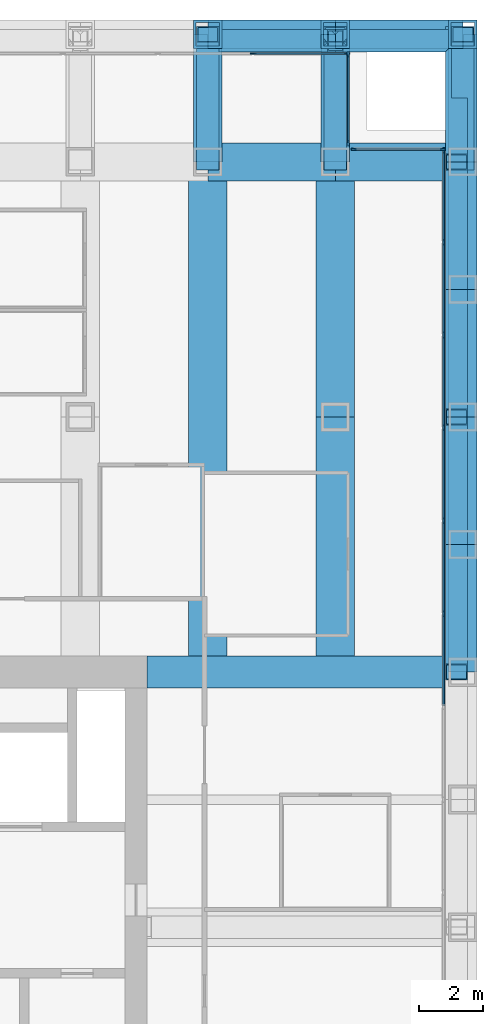
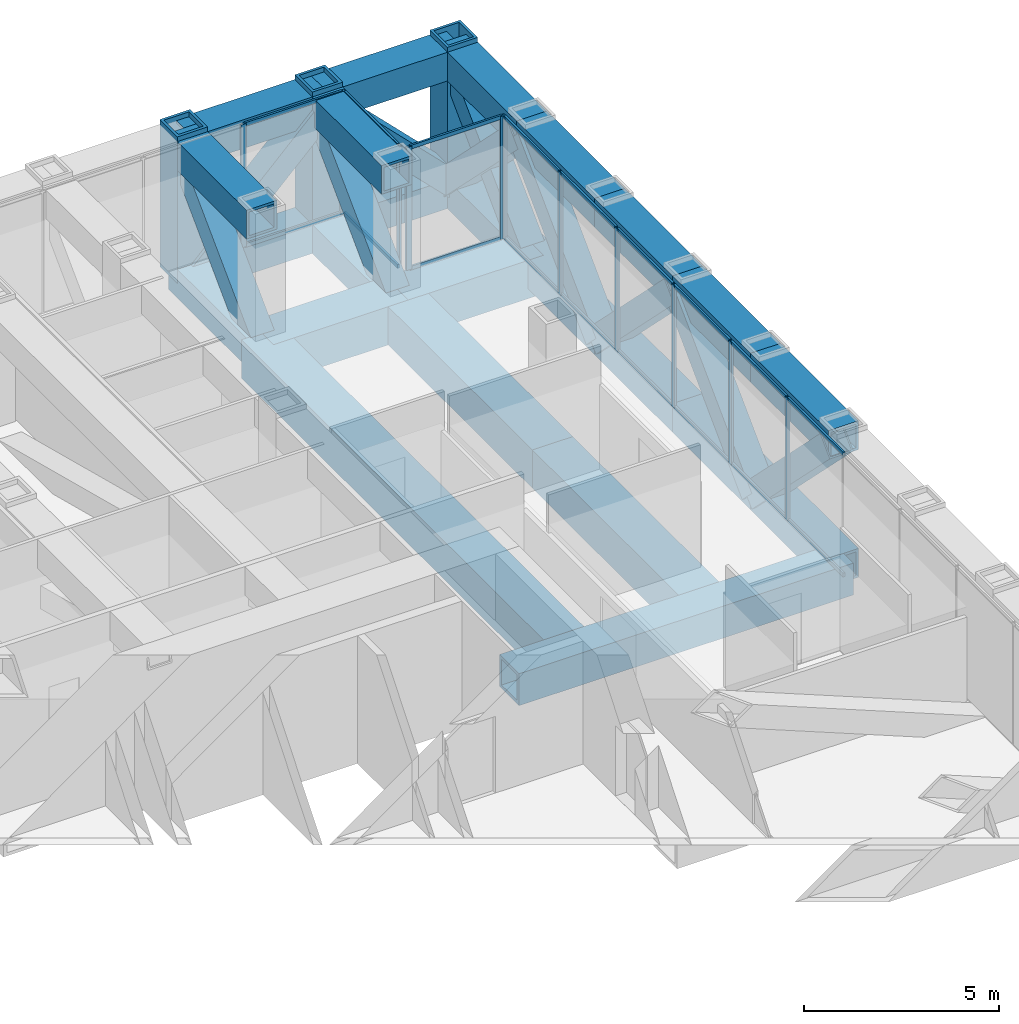
# One storey, part 8 of 16: 43 members, 24 beams, 4 elements without a shape of their own.
"""IFC4 building model written with IfcOpenShell, lengths in metres."""

import ifcopenshell
import ifcopenshell.guid

model = None  # the IFC model being written
_history = None  # IfcOwnerHistory: only IFC2X3 demands one
_inside = {}  # id of a spatial element -> (the spatial element, [elements in it])
_under = {}  # id of a project, library or spatial element -> (it, [spatial elements below it])
_declared = {}  # id of a project -> (the project, [libraries it declares])
_typed = {}  # id of a type object -> (the type object, [elements of that type])
_made_of = {}  # id of a material, layer set ... -> (it, [elements and type objects made of it])


def new_model(schema):
    """Start an empty IFC model of exactly this schema.

    Asked for "IFC4X3", IfcOpenShell would pick the latest addendum, in which some entities
    have other attributes; the version numbers below select the first issue.
    IFC2X3 requires an IfcOwnerHistory on every rooted entity: one is made here for all.
    """
    global model, _history
    if schema == "IFC4X3":
        model = ifcopenshell.file(schema_version=(4, 3, 0, 0))
    else:
        model = ifcopenshell.file(schema=schema)
    _inside.clear()
    _under.clear()
    _declared.clear()
    _typed.clear()
    _made_of.clear()
    _history = None
    if model.schema == "IFC2X3":
        org = make("IfcOrganization", Name="unknown")
        user = make(
            "IfcPersonAndOrganization",
            ThePerson=make("IfcPerson", FamilyName="unknown"),
            TheOrganization=org,
        )
        app = make(
            "IfcApplication",
            ApplicationDeveloper=org,
            Version="unknown",
            ApplicationFullName="unknown",
            ApplicationIdentifier="unknown",
        )
        _history = make(
            "IfcOwnerHistory",
            OwningUser=user,
            OwningApplication=app,
            ChangeAction="ADDED",
            CreationDate=0,
        )
    return model


def make(cls, **values):
    """One entity of the class cls with the attributes given. An attribute that is None is left unset."""
    return model.create_entity(
        cls, **{name: value for name, value in values.items() if value is not None}
    )


def rooted(cls, **values):
    """An entity with a GlobalId (a new one), such as an element, a storey or a relation."""
    return make(cls, GlobalId=ifcopenshell.guid.new(), OwnerHistory=_history, **values)


def si_unit(unit_type, name, prefix=None):
    """IfcSIUnit, for example si_unit("LENGTHUNIT", "METRE", prefix="MILLI")."""
    return make("IfcSIUnit", UnitType=unit_type, Prefix=prefix, Name=name)


def assignment(units):
    """IfcUnitAssignment: the units of a project."""
    return None if units is None else make("IfcUnitAssignment", Units=units)


def point(xyz):
    """IfcCartesianPoint."""
    return None if xyz is None else make("IfcCartesianPoint", Coordinates=xyz)


def direction(xyz):
    """IfcDirection."""
    return None if xyz is None else make("IfcDirection", DirectionRatios=xyz)


def frame(location, z_axis=None, x_axis=None):
    """IfcAxis2Placement3D, a coordinate frame: its origin and axes. An axis left out is left unset."""
    return make(
        "IfcAxis2Placement3D",
        Location=point(location),
        Axis=direction(z_axis),
        RefDirection=direction(x_axis),
    )


def frame_2d(location, x_axis=None):
    """IfcAxis2Placement2D, a coordinate frame in the plane: its origin and x axis."""
    return make(
        "IfcAxis2Placement2D", Location=point(location), RefDirection=direction(x_axis)
    )


def origin():
    """The frame at (0, 0, 0) with its axes left unset."""
    return frame((0.0, 0.0, 0.0))


def origin_2d():
    """The frame at (0, 0) in the plane with its x axis left unset."""
    return frame_2d((0.0, 0.0))


def place(relative_to, where):
    """IfcLocalPlacement: puts the frame where relative to a parent placement (None: the world)."""
    return make(
        "IfcLocalPlacement", PlacementRelTo=relative_to, RelativePlacement=where
    )


def context(
    kind, dimensions, precision=None, world=None, true_north=None, identifier=None
):
    """IfcGeometricRepresentationContext, for example the 3D "Model" context."""
    return make(
        "IfcGeometricRepresentationContext",
        ContextIdentifier=identifier,
        ContextType=kind,
        CoordinateSpaceDimension=dimensions,
        Precision=precision,
        WorldCoordinateSystem=world,
        TrueNorth=true_north,
    )


def subcontext(parent, identifier, kind, view, scale=None):
    """IfcGeometricRepresentationSubContext, for example "Body" below "Model"."""
    return make(
        "IfcGeometricRepresentationSubContext",
        ContextIdentifier=identifier,
        ContextType=kind,
        ParentContext=parent,
        TargetScale=scale,
        TargetView=view,
    )


def project(units=None, contexts=None):
    """IfcProject with its units and contexts."""
    return rooted(
        "IfcProject",
        Name="project",
        RepresentationContexts=contexts,
        UnitsInContext=assignment(units),
    )


def spatial(cls, under=None, at=None, **own):
    """A site, building, storey or space (cls), placed at a placement, below another one or the project."""
    s = rooted(cls, ObjectPlacement=at, **own)
    if under is not None:
        _under.setdefault(under.id(), (under, []))[1].append(s)
    return s


def profile(cls, at=None, kind="AREA", **sizes):
    """A parametric profile (cls). Its sizes go by their IFC names, for example OverallWidth=200.0."""
    return make(cls, ProfileType=kind, Position=at, **sizes)


def rectangle(**sizes):
    """IfcRectangleProfileDef."""
    return profile("IfcRectangleProfileDef", **sizes)


def hollow_rectangle(**sizes):
    """IfcRectangleHollowProfileDef."""
    return profile("IfcRectangleHollowProfileDef", **sizes)


def extrude(swept, where, along, depth):
    """IfcExtrudedAreaSolid: the profile swept, set in the frame where, extruded along a direction by depth."""
    return make(
        "IfcExtrudedAreaSolid",
        SweptArea=swept,
        Position=where,
        ExtrudedDirection=direction(along),
        Depth=depth,
    )


def shape(context_of_items, identifier, shape_type, items):
    """IfcShapeRepresentation: the items that make up one representation, for example the "Body"."""
    return make(
        "IfcShapeRepresentation",
        ContextOfItems=context_of_items,
        RepresentationIdentifier=identifier,
        RepresentationType=shape_type,
        Items=items,
    )


def material(Name=None, Category=None):
    """IfcMaterial."""
    return make("IfcMaterial", Name=Name, Category=Category)


def material_profile(
    of_material, cross_section, Name=None, Category=None, Priority=None
):
    """IfcMaterialProfile: a cross section and its material."""
    return make(
        "IfcMaterialProfile",
        Name=Name,
        Material=of_material,
        Profile=cross_section,
        Priority=Priority,
        Category=Category,
    )


def profile_set(profiles, Name=None, composite=None):
    """IfcMaterialProfileSet."""
    return make(
        "IfcMaterialProfileSet",
        Name=Name,
        MaterialProfiles=profiles,
        CompositeProfile=composite,
    )


def made_of(thing, what):
    """Note that an element or type object is made of a material, layer set ...; save() writes the relation."""
    if what is not None:
        _made_of.setdefault(what.id(), (what, []))[1].append(thing)
    return thing


def type_object(cls, material=None, **own):
    """A type object (cls), such as IfcWallType, which elements share."""
    return made_of(rooted(cls, **own), material)


def element(
    cls,
    number,
    at=None,
    inside=None,
    cuts=None,
    type_object=None,
    material=None,
    context=None,
    identifier="Body",
    shape_type=None,
    held_by="IfcProductDefinitionShape",
    body=None,
    shapes=None,
    **own,
):
    """One element of the class cls, such as IfcWall. Its Tag is "e" and its number.

    at: its placement. inside: the storey or other place that contains it. cuts: it is an
    opening in that element (IfcRelVoidsElement). A single representation is given by context,
    identifier, shape_type and body (its items); several are given by shapes. held_by: the class
    of the entity that holds the representations. save() writes the other relations.
    """
    e = rooted(cls, Tag="e%d" % number, ObjectPlacement=at, **own)
    if body is not None:
        shapes = [shape(context, identifier, shape_type, body)]
    if shapes is not None:
        e.Representation = make(held_by, Representations=shapes)
    if inside is not None:
        _inside.setdefault(inside.id(), (inside, []))[1].append(e)
    if cuts is not None:
        rooted(
            "IfcRelVoidsElement", RelatingBuildingElement=cuts, RelatedOpeningElement=e
        )
    if type_object is not None:
        _typed.setdefault(type_object.id(), (type_object, []))[1].append(e)
    return made_of(e, material)


def aggregate(whole, parts):
    """IfcRelAggregates: a whole, such as a stair, and the parts it consists of."""
    return rooted("IfcRelAggregates", RelatingObject=whole, RelatedObjects=parts)


def save(model, path):
    """Write the relations noted so far, then the file.

    IfcRelAggregates (storeys below a building ...), IfcRelContainedInSpatialStructure (elements
    in a storey), IfcRelDefinesByType, IfcRelAssociatesMaterial and IfcRelDeclares: one each for
    every whole, place, type object, material and project.
    """
    for whole, parts in _under.values():
        aggregate(whole, parts)
    for where, things in _inside.values():
        rooted(
            "IfcRelContainedInSpatialStructure",
            RelatedElements=things,
            RelatingStructure=where,
        )
    for kind, things in _typed.values():
        rooted("IfcRelDefinesByType", RelatedObjects=things, RelatingType=kind)
    for what, things in _made_of.values():
        rooted("IfcRelAssociatesMaterial", RelatedObjects=things, RelatingMaterial=what)
    for by, libraries in _declared.values():
        rooted("IfcRelDeclares", RelatingContext=by, RelatedDefinitions=libraries)
    model.write(path)


model = new_model("IFC4")

# Units and contexts
model_context = context("Model", 3, precision=1e-05, world=origin(), true_north=direction((0.0, 1.0)))
body_context = subcontext(model_context, "Body", "Model", "MODEL_VIEW")
ifc_project = project(units=[si_unit("LENGTHUNIT", "METRE"), si_unit("AREAUNIT", "SQUARE_METRE"), si_unit("VOLUMEUNIT", "CUBIC_METRE"), si_unit("PLANEANGLEUNIT", "RADIAN"), si_unit("MASSUNIT", "GRAM", prefix="KILO")], contexts=[model_context])

# Site, building, storey
site_placement = place(None, origin())
site = spatial("IfcSite", under=ifc_project, at=site_placement, CompositionType="ELEMENT")
building_placement = place(site_placement, origin())
building = spatial("IfcBuilding", under=site, at=building_placement, Name="Rimbunsela Tower", CompositionType="ELEMENT")
storey_placement = place(building_placement, frame((0.0, 0.0, 171.800048828125)))
storey = spatial("IfcBuildingStorey", under=building, at=storey_placement, Name="L41", CompositionType="ELEMENT", Elevation=171.800048828125)

# Beams
ifc_material_1 = material(Name="Steel BJ 55 (fy 410 MPa)", Category="steel")
ifc_material_profile_1 = material_profile(ifc_material_1, hollow_rectangle(XDim=1.0, YDim=1.0, WallThickness=0.10009765625, at=origin_2d()), Name="BOX 1000x1000x100")
ifc_profile_set_1 = profile_set([ifc_material_profile_1], Name="Steel BJ 55 (fy 410 MPa)")
beam_type_1 = type_object("IfcBeamType", Name="Beam BOX 1000x1000x100", PredefinedType="BEAM", material=ifc_profile_set_1)
beam_1_placement = place(storey_placement, frame((36.10009765625, 36.0, -0.650146484375), z_axis=(1.0, 0.0, 0.0), x_axis=(0.0, 1.0, 0.0)))
element("IfcBeam", 1, at=beam_1_placement, inside=storey, type_object=beam_type_1, Name="Beam B3 L41", PredefinedType="BEAM", context=body_context, shape_type="SweptSolid", body=[
    extrude(hollow_rectangle(XDim=1.0, YDim=1.0, WallThickness=0.10009765625, at=origin_2d()), origin(), (0.0, 0.0, 1.0), 9.89990234375),
])
ifc_material_2 = material(Name="Steel BJ 55 (fy 410 MPa)", Category="steel")
ifc_material_profile_2 = material_profile(ifc_material_2, hollow_rectangle(XDim=1.199951171875, YDim=1.199951171875, WallThickness=0.10009765625, at=origin_2d()), Name="BOX 1200x1200x100")
ifc_profile_set_2 = profile_set([ifc_material_profile_2], Name="Steel BJ 55 (fy 410 MPa)")
beam_type_2 = type_object("IfcBeamType", Name="Beam BOX 1200x1200x100", PredefinedType="BEAM", material=ifc_profile_set_2)
beam_2_placement = place(storey_placement, frame((38.0, 36.5, -0.75), z_axis=(0.0, 1.0, 0.0), x_axis=(-1.0, 0.0, 0.0)))
element("IfcBeam", 2, at=beam_2_placement, inside=storey, type_object=beam_type_2, Name="Beam B5 L41", PredefinedType="BEAM", context=body_context, shape_type="SweptSolid", body=[
    extrude(hollow_rectangle(XDim=1.199951171875, YDim=1.199951171875, WallThickness=0.10009765625, at=origin_2d()), origin(), (0.0, 0.0, 1.0), 15.5),
])
ifc_material_3 = material(Name="Steel BJ 55 (fy 410 MPa)", Category="steel")
ifc_material_profile_3 = material_profile(ifc_material_3, hollow_rectangle(XDim=1.199951171875, YDim=1.199951171875, WallThickness=0.125, at=origin_2d()), Name="BOX 1200x1200x125")
ifc_profile_set_3 = profile_set([ifc_material_profile_3], Name="Steel BJ 55 (fy 410 MPa)")
beam_type_3 = type_object("IfcBeamType", Name="Beam BOX 1200x1200x125", PredefinedType="BEAM", material=ifc_profile_set_3)
beam_3_placement = place(storey_placement, frame((38.0, 52.0, -0.75), z_axis=(1.0, 0.0, 0.0), x_axis=(0.0, 1.0, 0.0)))
element("IfcBeam", 3, at=beam_3_placement, inside=storey, type_object=beam_type_3, Name="Beam B4 L41", PredefinedType="BEAM", context=body_context, shape_type="SweptSolid", body=[
    extrude(hollow_rectangle(XDim=1.199951171875, YDim=1.199951171875, WallThickness=0.125, at=origin_2d()), origin(), (0.0, 0.0, 1.0), 4.0),
])
beam_4_placement = place(storey_placement, frame((42.0, 36.5, -0.75), z_axis=(0.0, 1.0, 0.0), x_axis=(-1.0, 0.0, 0.0)))
element("IfcBeam", 4, at=beam_4_placement, inside=storey, type_object=beam_type_3, Name="Beam B4 L41", PredefinedType="BEAM", context=body_context, shape_type="SweptSolid", body=[
    extrude(hollow_rectangle(XDim=1.199951171875, YDim=1.199951171875, WallThickness=0.125, at=origin_2d()), origin(), (0.0, 0.0, 1.0), 7.5),
])
beam_5_placement = place(storey_placement, frame((42.0, 44.0, -0.75), z_axis=(0.0, 1.0, 0.0), x_axis=(-1.0, 0.0, 0.0)))
element("IfcBeam", 5, at=beam_5_placement, inside=storey, type_object=beam_type_3, Name="Beam B4 L41", PredefinedType="BEAM", context=body_context, shape_type="SweptSolid", body=[
    extrude(hollow_rectangle(XDim=1.199951171875, YDim=1.199951171875, WallThickness=0.125, at=origin_2d()), origin(), (0.0, 0.0, 1.0), 8.0),
])
beam_6_placement = place(storey_placement, frame((42.0, 52.0, -0.75), z_axis=(1.0, 0.0, 0.0), x_axis=(0.0, 1.0, 0.0)))
element("IfcBeam", 6, at=beam_6_placement, inside=storey, type_object=beam_type_3, Name="Beam B4 L41", PredefinedType="BEAM", context=body_context, shape_type="SweptSolid", body=[
    extrude(hollow_rectangle(XDim=1.199951171875, YDim=1.199951171875, WallThickness=0.125, at=origin_2d()), origin(), (0.0, 0.0, 1.0), 4.0),
])

# Curtain wall, members
ifc_material_4 = material(Name="Aluminium curtain wall", Category="aluminium")
curtain_wall_type_1 = type_object("IfcCurtainWallType", Name="Exoskeleton storey infill", PredefinedType="USERDEFINED", material=ifc_material_4)
curtain_wall_1_placement = place(storey_placement, origin())
curtain_wall_1 = element("IfcCurtainWall", 7, at=curtain_wall_1_placement, inside=storey, type_object=curtain_wall_type_1, Name="Exoskeleton storey infill L41", ObjectType="EXOSKELETON STOREY INFILL", PredefinedType="USERDEFINED")
ifc_material_5 = material(Name="Aluminium mullion", Category="aluminium")
ifc_material_profile_4 = material_profile(ifc_material_5, rectangle(XDim=0.06005859375, YDim=0.159912109375, at=origin_2d()), Name="Mullion 60x160")
ifc_profile_set_4 = profile_set([ifc_material_profile_4], Name="Aluminium mullion")
member_type_1 = type_object("IfcMemberType", Name="Curtain wall mullion 60x160", PredefinedType="MULLION", material=ifc_profile_set_4)
member_1_placement = place(storey_placement, frame((45.39990234375, 37.82861328125, 0.0), z_axis=(0.0, 0.0, 1.0), x_axis=(-1.0, 0.0, 0.0)))
member_1 = element("IfcMember", 8, at=member_1_placement, type_object=member_type_1, Name="CW2 mullion 10", PredefinedType="MULLION", context=body_context, shape_type="SweptSolid", body=[
    extrude(rectangle(XDim=0.06005859375, YDim=0.159912109375, at=origin_2d()), origin(), (0.0, 0.0, 1.0), 3.849853515625),
])
member_2_placement = place(storey_placement, frame((45.39990234375, 40.742919921875, 0.0), z_axis=(0.0, 0.0, 1.0), x_axis=(-1.0, 0.0, 0.0)))
member_2 = element("IfcMember", 9, at=member_2_placement, type_object=member_type_1, Name="CW2 mullion 11", PredefinedType="MULLION", context=body_context, shape_type="SweptSolid", body=[
    extrude(rectangle(XDim=0.06005859375, YDim=0.159912109375, at=origin_2d()), origin(), (0.0, 0.0, 1.0), 3.849853515625),
])
member_3_placement = place(storey_placement, frame((45.39990234375, 43.6572265625, 0.0), z_axis=(0.0, 0.0, 1.0), x_axis=(-1.0, 0.0, 0.0)))
member_3 = element("IfcMember", 10, at=member_3_placement, type_object=member_type_1, Name="CW2 mullion 12", PredefinedType="MULLION", context=body_context, shape_type="SweptSolid", body=[
    extrude(rectangle(XDim=0.06005859375, YDim=0.159912109375, at=origin_2d()), origin(), (0.0, 0.0, 1.0), 3.849853515625),
])
member_4_placement = place(storey_placement, frame((45.39990234375, 46.571533203125, 0.0), z_axis=(0.0, 0.0, 1.0), x_axis=(-1.0, 0.0, 0.0)))
member_4 = element("IfcMember", 11, at=member_4_placement, type_object=member_type_1, Name="CW2 mullion 13", PredefinedType="MULLION", context=body_context, shape_type="SweptSolid", body=[
    extrude(rectangle(XDim=0.06005859375, YDim=0.159912109375, at=origin_2d()), origin(), (0.0, 0.0, 1.0), 3.849853515625),
])
member_5_placement = place(storey_placement, frame((45.39990234375, 49.485595703125, 0.0), z_axis=(0.0, 0.0, 1.0), x_axis=(-1.0, 0.0, 0.0)))
member_5 = element("IfcMember", 12, at=member_5_placement, type_object=member_type_1, Name="CW2 mullion 14", PredefinedType="MULLION", context=body_context, shape_type="SweptSolid", body=[
    extrude(rectangle(XDim=0.06005859375, YDim=0.159912109375, at=origin_2d()), origin(), (0.0, 0.0, 1.0), 3.849853515625),
])
member_6_placement = place(storey_placement, frame((45.39990234375, 52.3701171875, 0.0), z_axis=(0.0, 0.0, 1.0), x_axis=(-1.0, 0.0, 0.0)))
member_6 = element("IfcMember", 13, at=member_6_placement, type_object=member_type_1, Name="CW2 mullion 15", PredefinedType="MULLION", context=body_context, shape_type="SweptSolid", body=[
    extrude(rectangle(XDim=0.06005859375, YDim=0.159912109375, at=origin_2d()), origin(), (0.0, 0.0, 1.0), 3.849853515625),
])

ifc_material_6 = material(Name="Aluminium curtain wall", Category="aluminium")
curtain_wall_type_2 = type_object("IfcCurtainWallType", Name="Corner glazing", PredefinedType="USERDEFINED", material=ifc_material_6)
curtain_wall_2_placement = place(storey_placement, origin())
curtain_wall_2 = element("IfcCurtainWall", 14, at=curtain_wall_2_placement, inside=storey, type_object=curtain_wall_type_2, Name="Corner glazing L41", ObjectType="CORNER GLAZING", PredefinedType="USERDEFINED")
member_7_placement = place(storey_placement, frame((45.3701171875, 52.39990234375, 0.0), z_axis=(0.0, 0.0, 1.0), x_axis=(0.0, -1.0, 0.0)))
member_7 = element("IfcMember", 15, at=member_7_placement, type_object=member_type_1, Name="CW5 mullion 1", PredefinedType="MULLION", context=body_context, shape_type="SweptSolid", body=[
    extrude(rectangle(XDim=0.06005859375, YDim=0.159912109375, at=origin_2d()), origin(), (0.0, 0.0, 1.0), 3.849853515625),
])
member_8_placement = place(storey_placement, frame((42.580078125, 52.39990234375, 0.0), z_axis=(0.0, 0.0, 1.0), x_axis=(0.0, -1.0, 0.0)))
member_8 = element("IfcMember", 16, at=member_8_placement, type_object=member_type_1, Name="CW5 mullion 2", PredefinedType="MULLION", context=body_context, shape_type="SweptSolid", body=[
    extrude(rectangle(XDim=0.06005859375, YDim=0.159912109375, at=origin_2d()), origin(), (0.0, 0.0, 1.0), 3.849853515625),
])

ifc_material_7 = material(Name="Aluminium curtain wall", Category="aluminium")
curtain_wall_type_3 = type_object("IfcCurtainWallType", Name="Spandrel wall", PredefinedType="USERDEFINED", material=ifc_material_7)
curtain_wall_3_placement = place(storey_placement, origin())
curtain_wall_3 = element("IfcCurtainWall", 17, at=curtain_wall_3_placement, inside=storey, type_object=curtain_wall_type_3, Name="Spandrel wall L41", ObjectType="SPANDREL WALL", PredefinedType="USERDEFINED")
member_9_placement = place(storey_placement, frame((42.39990234375, 52.580078125, 0.0), z_axis=(0.0, 0.0, 1.0), x_axis=(-1.0, 0.0, 0.0)))
member_9 = element("IfcMember", 18, at=member_9_placement, type_object=member_type_1, Name="CW7 mullion 1", PredefinedType="MULLION", context=body_context, shape_type="SweptSolid", body=[
    extrude(rectangle(XDim=0.06005859375, YDim=0.159912109375, at=origin_2d()), origin(), (0.0, 0.0, 1.0), 3.849853515625),
])
member_10_placement = place(storey_placement, frame((42.39990234375, 55.3701171875, 0.0), z_axis=(0.0, 0.0, 1.0), x_axis=(-1.0, 0.0, 0.0)))
member_10 = element("IfcMember", 19, at=member_10_placement, type_object=member_type_1, Name="CW7 mullion 2", PredefinedType="MULLION", context=body_context, shape_type="SweptSolid", body=[
    extrude(rectangle(XDim=0.06005859375, YDim=0.159912109375, at=origin_2d()), origin(), (0.0, 0.0, 1.0), 3.849853515625),
])

curtain_wall_4_placement = place(storey_placement, origin())
curtain_wall_4 = element("IfcCurtainWall", 20, at=curtain_wall_4_placement, inside=storey, type_object=curtain_wall_type_1, Name="Exoskeleton storey infill L41", ObjectType="EXOSKELETON STOREY INFILL", PredefinedType="USERDEFINED")
member_11_placement = place(storey_placement, frame((42.3701171875, 55.39990234375, 0.0), z_axis=(0.0, 0.0, 1.0), x_axis=(0.0, -1.0, 0.0)))
member_11 = element("IfcMember", 21, at=member_11_placement, type_object=member_type_1, Name="CW2 mullion 1", PredefinedType="MULLION", context=body_context, shape_type="SweptSolid", body=[
    extrude(rectangle(XDim=0.06005859375, YDim=0.159912109375, at=origin_2d()), origin(), (0.0, 0.0, 1.0), 3.849853515625),
])
member_12_placement = place(storey_placement, frame((39.418212890625, 55.39990234375, 0.0), z_axis=(0.0, 0.0, 1.0), x_axis=(0.0, -1.0, 0.0)))
member_12 = element("IfcMember", 22, at=member_12_placement, type_object=member_type_1, Name="CW2 mullion 2", PredefinedType="MULLION", context=body_context, shape_type="SweptSolid", body=[
    extrude(rectangle(XDim=0.06005859375, YDim=0.159912109375, at=origin_2d()), origin(), (0.0, 0.0, 1.0), 3.849853515625),
])

# Member
ifc_material_8 = material(Name="Aluminium transom", Category="aluminium")
ifc_material_profile_5 = material_profile(ifc_material_8, rectangle(XDim=0.06005859375, YDim=0.1201171875, at=origin_2d()), Name="Transom 60x120")
ifc_profile_set_5 = profile_set([ifc_material_profile_5], Name="Aluminium transom")
member_type_2 = type_object("IfcMemberType", Name="Curtain wall transom 60x120", PredefinedType="USERDEFINED", material=ifc_profile_set_5)
member_13_placement = place(storey_placement, frame((45.39990234375, 34.9443359375, 0.030029296875), z_axis=(0.0, 1.0, 0.0), x_axis=(-1.0, 0.0, 0.0)))
member_13 = element("IfcMember", 23, at=member_13_placement, type_object=member_type_2, Name="CW2 transom 9.1", ObjectType="TRANSOM", PredefinedType="USERDEFINED", context=body_context, shape_type="SweptSolid", body=[
    extrude(rectangle(XDim=0.06005859375, YDim=0.1201171875, at=origin_2d()), origin(), (0.0, 0.0, 1.0), 2.854248046875),
])

member_14_placement = place(storey_placement, frame((45.39990234375, 34.9443359375, 3.820068359375), z_axis=(0.0, 1.0, 0.0), x_axis=(-1.0, 0.0, 0.0)))
member_14 = element("IfcMember", 24, at=member_14_placement, type_object=member_type_2, Name="CW2 transom 9.2", ObjectType="TRANSOM", PredefinedType="USERDEFINED", context=body_context, shape_type="SweptSolid", body=[
    extrude(rectangle(XDim=0.06005859375, YDim=0.1201171875, at=origin_2d()), origin(), (0.0, 0.0, 1.0), 2.854248046875),
])

member_15_placement = place(storey_placement, frame((45.39990234375, 37.858642578125, 0.030029296875), z_axis=(0.0, 1.0, 0.0), x_axis=(-1.0, 0.0, 0.0)))
member_15 = element("IfcMember", 25, at=member_15_placement, type_object=member_type_2, Name="CW2 transom 10.1", ObjectType="TRANSOM", PredefinedType="USERDEFINED", context=body_context, shape_type="SweptSolid", body=[
    extrude(rectangle(XDim=0.06005859375, YDim=0.1201171875, at=origin_2d()), origin(), (0.0, 0.0, 1.0), 2.854248046875),
])

member_16_placement = place(storey_placement, frame((45.39990234375, 37.858642578125, 3.820068359375), z_axis=(0.0, 1.0, 0.0), x_axis=(-1.0, 0.0, 0.0)))
member_16 = element("IfcMember", 26, at=member_16_placement, type_object=member_type_2, Name="CW2 transom 10.2", ObjectType="TRANSOM", PredefinedType="USERDEFINED", context=body_context, shape_type="SweptSolid", body=[
    extrude(rectangle(XDim=0.06005859375, YDim=0.1201171875, at=origin_2d()), origin(), (0.0, 0.0, 1.0), 2.854248046875),
])

member_17_placement = place(storey_placement, frame((45.39990234375, 40.77294921875, 0.030029296875), z_axis=(0.0, 1.0, 0.0), x_axis=(-1.0, 0.0, 0.0)))
member_17 = element("IfcMember", 27, at=member_17_placement, type_object=member_type_2, Name="CW2 transom 11.1", ObjectType="TRANSOM", PredefinedType="USERDEFINED", context=body_context, shape_type="SweptSolid", body=[
    extrude(rectangle(XDim=0.06005859375, YDim=0.1201171875, at=origin_2d()), origin(), (0.0, 0.0, 1.0), 2.854248046875),
])

member_18_placement = place(storey_placement, frame((45.39990234375, 40.77294921875, 3.820068359375), z_axis=(0.0, 1.0, 0.0), x_axis=(-1.0, 0.0, 0.0)))
member_18 = element("IfcMember", 28, at=member_18_placement, type_object=member_type_2, Name="CW2 transom 11.2", ObjectType="TRANSOM", PredefinedType="USERDEFINED", context=body_context, shape_type="SweptSolid", body=[
    extrude(rectangle(XDim=0.06005859375, YDim=0.1201171875, at=origin_2d()), origin(), (0.0, 0.0, 1.0), 2.854248046875),
])

member_19_placement = place(storey_placement, frame((45.39990234375, 43.687255859375, 0.030029296875), z_axis=(0.0, 1.0, 0.0), x_axis=(-1.0, 0.0, 0.0)))
member_19 = element("IfcMember", 29, at=member_19_placement, type_object=member_type_2, Name="CW2 transom 12.1", ObjectType="TRANSOM", PredefinedType="USERDEFINED", context=body_context, shape_type="SweptSolid", body=[
    extrude(rectangle(XDim=0.06005859375, YDim=0.1201171875, at=origin_2d()), origin(), (0.0, 0.0, 1.0), 2.854248046875),
])

member_20_placement = place(storey_placement, frame((45.39990234375, 43.687255859375, 3.820068359375), z_axis=(0.0, 1.0, 0.0), x_axis=(-1.0, 0.0, 0.0)))
member_20 = element("IfcMember", 30, at=member_20_placement, type_object=member_type_2, Name="CW2 transom 12.2", ObjectType="TRANSOM", PredefinedType="USERDEFINED", context=body_context, shape_type="SweptSolid", body=[
    extrude(rectangle(XDim=0.06005859375, YDim=0.1201171875, at=origin_2d()), origin(), (0.0, 0.0, 1.0), 2.854248046875),
])

member_21_placement = place(storey_placement, frame((45.39990234375, 46.601318359375, 0.030029296875), z_axis=(0.0, 1.0, 0.0), x_axis=(-1.0, 0.0, 0.0)))
member_21 = element("IfcMember", 31, at=member_21_placement, type_object=member_type_2, Name="CW2 transom 13.1", ObjectType="TRANSOM", PredefinedType="USERDEFINED", context=body_context, shape_type="SweptSolid", body=[
    extrude(rectangle(XDim=0.06005859375, YDim=0.1201171875, at=origin_2d()), origin(), (0.0, 0.0, 1.0), 2.8544921875),
])

member_22_placement = place(storey_placement, frame((45.39990234375, 46.601318359375, 3.820068359375), z_axis=(0.0, 1.0, 0.0), x_axis=(-1.0, 0.0, 0.0)))
member_22 = element("IfcMember", 32, at=member_22_placement, type_object=member_type_2, Name="CW2 transom 13.2", ObjectType="TRANSOM", PredefinedType="USERDEFINED", context=body_context, shape_type="SweptSolid", body=[
    extrude(rectangle(XDim=0.06005859375, YDim=0.1201171875, at=origin_2d()), origin(), (0.0, 0.0, 1.0), 2.8544921875),
])

member_23_placement = place(storey_placement, frame((45.39990234375, 49.515625, 0.030029296875), z_axis=(0.0, 1.0, 0.0), x_axis=(-1.0, 0.0, 0.0)))
member_23 = element("IfcMember", 33, at=member_23_placement, type_object=member_type_2, Name="CW2 transom 14.1", ObjectType="TRANSOM", PredefinedType="USERDEFINED", context=body_context, shape_type="SweptSolid", body=[
    extrude(rectangle(XDim=0.06005859375, YDim=0.1201171875, at=origin_2d()), origin(), (0.0, 0.0, 1.0), 2.824462890625),
])

member_24_placement = place(storey_placement, frame((45.39990234375, 49.515625, 3.820068359375), z_axis=(0.0, 1.0, 0.0), x_axis=(-1.0, 0.0, 0.0)))
member_24 = element("IfcMember", 34, at=member_24_placement, type_object=member_type_2, Name="CW2 transom 14.2", ObjectType="TRANSOM", PredefinedType="USERDEFINED", context=body_context, shape_type="SweptSolid", body=[
    extrude(rectangle(XDim=0.06005859375, YDim=0.1201171875, at=origin_2d()), origin(), (0.0, 0.0, 1.0), 2.824462890625),
])

aggregate(curtain_wall_1, [member_1, member_2, member_3, member_4, member_5, member_6, member_13, member_14, member_15, member_16, member_17, member_18, member_19, member_20, member_21, member_22, member_23, member_24])

member_25_placement = place(storey_placement, frame((45.340087890625, 52.39990234375, 0.030029296875), z_axis=(-1.0, 0.0, 0.0), x_axis=(0.0, -1.0, 0.0)))
member_25 = element("IfcMember", 35, at=member_25_placement, type_object=member_type_2, Name="CW5 transom 1.1", ObjectType="TRANSOM", PredefinedType="USERDEFINED", context=body_context, shape_type="SweptSolid", body=[
    extrude(rectangle(XDim=0.06005859375, YDim=0.1201171875, at=origin_2d()), origin(), (0.0, 0.0, 1.0), 2.72998046875),
])

member_26_placement = place(storey_placement, frame((45.340087890625, 52.39990234375, 3.820068359375), z_axis=(-1.0, 0.0, 0.0), x_axis=(0.0, -1.0, 0.0)))
member_26 = element("IfcMember", 36, at=member_26_placement, type_object=member_type_2, Name="CW5 transom 1.2", ObjectType="TRANSOM", PredefinedType="USERDEFINED", context=body_context, shape_type="SweptSolid", body=[
    extrude(rectangle(XDim=0.06005859375, YDim=0.1201171875, at=origin_2d()), origin(), (0.0, 0.0, 1.0), 2.72998046875),
])

aggregate(curtain_wall_2, [member_7, member_8, member_25, member_26])

member_27_placement = place(storey_placement, frame((42.39990234375, 52.610107421875, 0.030029296875), z_axis=(0.0, 1.0, 0.0), x_axis=(-1.0, 0.0, 0.0)))
member_27 = element("IfcMember", 37, at=member_27_placement, type_object=member_type_2, Name="CW7 transom 1.1", ObjectType="TRANSOM", PredefinedType="USERDEFINED", context=body_context, shape_type="SweptSolid", body=[
    extrude(rectangle(XDim=0.06005859375, YDim=0.1201171875, at=origin_2d()), origin(), (0.0, 0.0, 1.0), 2.72998046875),
])

member_28_placement = place(storey_placement, frame((42.39990234375, 52.610107421875, 3.820068359375), z_axis=(0.0, 1.0, 0.0), x_axis=(-1.0, 0.0, 0.0)))
member_28 = element("IfcMember", 38, at=member_28_placement, type_object=member_type_2, Name="CW7 transom 1.2", ObjectType="TRANSOM", PredefinedType="USERDEFINED", context=body_context, shape_type="SweptSolid", body=[
    extrude(rectangle(XDim=0.06005859375, YDim=0.1201171875, at=origin_2d()), origin(), (0.0, 0.0, 1.0), 2.72998046875),
])

aggregate(curtain_wall_3, [member_9, member_10, member_27, member_28])

member_29_placement = place(storey_placement, frame((42.340087890625, 55.39990234375, 0.030029296875), z_axis=(-1.0, 0.0, 0.0), x_axis=(0.0, -1.0, 0.0)))
member_29 = element("IfcMember", 39, at=member_29_placement, type_object=member_type_2, Name="CW2 transom 1.1", ObjectType="TRANSOM", PredefinedType="USERDEFINED", context=body_context, shape_type="SweptSolid", body=[
    extrude(rectangle(XDim=0.06005859375, YDim=0.1201171875, at=origin_2d()), origin(), (0.0, 0.0, 1.0), 2.891845703125),
])

member_30_placement = place(storey_placement, frame((42.340087890625, 55.39990234375, 3.820068359375), z_axis=(-1.0, 0.0, 0.0), x_axis=(0.0, -1.0, 0.0)))
member_30 = element("IfcMember", 40, at=member_30_placement, type_object=member_type_2, Name="CW2 transom 1.2", ObjectType="TRANSOM", PredefinedType="USERDEFINED", context=body_context, shape_type="SweptSolid", body=[
    extrude(rectangle(XDim=0.06005859375, YDim=0.1201171875, at=origin_2d()), origin(), (0.0, 0.0, 1.0), 2.891845703125),
])

aggregate(curtain_wall_4, [member_11, member_12, member_29, member_30])

# Beams
ifc_material_9 = material(Name="Steel BJ 55 (fy 410 MPa)", Category="steel")
ifc_material_profile_6 = material_profile(ifc_material_9, hollow_rectangle(XDim=0.89990234375, YDim=0.89990234375, WallThickness=0.080078125, at=origin_2d()), Name="BOX 900x900x80")
ifc_profile_set_6 = profile_set([ifc_material_profile_6], Name="Steel BJ 55 (fy 410 MPa)")
beam_type_4 = type_object("IfcBeamType", Name="Truss chord BOX 900x900x80", PredefinedType="USERDEFINED", material=ifc_profile_set_6)
for number, where, z_axis, x_axis, name in (
    (41, (38.0, 56.0, 3.39990234375), (1.0, 0.0, 0.0), (0.0, 1.0, 0.0), "Truss top chord TC3 N face L41"),
    (42, (42.0, 56.0, 3.39990234375), (1.0, 0.0, 0.0), (0.0, 1.0, 0.0), "Truss top chord TC3 N face L41"),
    (43, (46.0, 36.0, 3.39990234375), (0.0, 1.0, 0.0), (-1.0, 0.0, 0.0), "Truss top chord TC3 E face L41"),
    (44, (46.0, 40.0, 3.39990234375), (0.0, 1.0, 0.0), (-1.0, 0.0, 0.0), "Truss top chord TC3 E face L41"),
    (45, (46.0, 44.0, 3.39990234375), (0.0, 1.0, 0.0), (-1.0, 0.0, 0.0), "Truss top chord TC3 E face L41"),
    (46, (46.0, 48.0, 3.39990234375), (0.0, 1.0, 0.0), (-1.0, 0.0, 0.0), "Truss top chord TC3 E face L41"),
    (47, (46.0, 52.0, 3.39990234375), (0.0, 1.0, 0.0), (-1.0, 0.0, 0.0), "Truss top chord TC3 E face L41"),
    (48, (46.0, 36.0, -0.60009765625), (0.0, 1.0, 0.0), (-1.0, 0.0, 0.0), "Truss bottom chord TC3 E face L41"),
    (49, (46.0, 40.0, -0.60009765625), (0.0, 1.0, 0.0), (-1.0, 0.0, 0.0), "Truss bottom chord TC3 E face L41"),
    (50, (46.0, 44.0, -0.60009765625), (0.0, 1.0, 0.0), (-1.0, 0.0, 0.0), "Truss bottom chord TC3 E face L41"),
    (51, (46.0, 48.0, -0.60009765625), (0.0, 1.0, 0.0), (-1.0, 0.0, 0.0), "Truss bottom chord TC3 E face L41"),
    (52, (46.0, 52.0, -0.60009765625), (0.0, 1.0, 0.0), (-1.0, 0.0, 0.0), "Truss bottom chord TC3 E face L41"),
    (53, (38.0, 52.0, -0.60009765625), (0.0, 1.0, 0.0), (-1.0, 0.0, 0.0), "Cantilever truss bottom chord TC3 12/R L41"),
    (54, (38.0, 52.0, 3.39990234375), (0.0, 1.0, 0.0), (-1.0, 0.0, 0.0), "Cantilever truss top chord TC3 12/R L41"),
    (55, (42.0, 52.0, -0.60009765625), (0.0, 1.0, 0.0), (-1.0, 0.0, 0.0), "Cantilever truss bottom chord TC3 13/R L41"),
    (56, (42.0, 52.0, 3.39990234375), (0.0, 1.0, 0.0), (-1.0, 0.0, 0.0), "Cantilever truss top chord TC3 13/R L41"),
    (57, (38.0, 56.0, -0.60009765625), (1.0, 0.0, 0.0), (0.0, 1.0, 0.0), "Truss bottom chord TC3 N face L41"),
    (58, (42.0, 56.0, -0.60009765625), (1.0, 0.0, 0.0), (0.0, 1.0, 0.0), "Truss bottom chord TC3 N face L41"),
):
    element("IfcBeam", number, at=place(storey_placement, frame(where, z_axis=z_axis, x_axis=x_axis)), inside=storey, type_object=beam_type_4, Name=name, ObjectType="TRUSS CHORD", PredefinedType="USERDEFINED", context=body_context, shape_type="SweptSolid", body=[
        extrude(hollow_rectangle(XDim=0.89990234375, YDim=0.89990234375, WallThickness=0.080078125, at=origin_2d()), origin(), (0.0, 0.0, 1.0), 4.0),
    ])

# Members
ifc_material_10 = material(Name="Steel BJ 55 (fy 410 MPa)", Category="steel")
ifc_material_profile_7 = material_profile(ifc_material_10, hollow_rectangle(XDim=0.699951171875, YDim=0.699951171875, WallThickness=0.0400390625, at=origin_2d()), Name="BOX 700x700x40")
ifc_profile_set_7 = profile_set([ifc_material_profile_7], Name="Steel BJ 55 (fy 410 MPa)")
member_type_3 = type_object("IfcMemberType", Name="Truss diagonal BOX 700x700x40", PredefinedType="BRACE", material=ifc_profile_set_7)
for number, where, z_axis, x_axis, name in (
    (59, (38.0, 55.800048828125, -0.60009765625), (0.707106781187, 0.0, 0.707106781187), (0.0, 1.0, 0.0), "Truss diagonal TD3 N face L41"),
    (60, (42.0, 55.800048828125, 3.39990234375), (0.707106781187, 0.0, -0.707106781187), (0.0, 1.0, 0.0), "Truss diagonal TD3 N face L41"),
    (61, (45.800048828125, 36.0, 3.39990234375), (0.0, 0.707106781187, -0.707106781187), (-1.0, 0.0, 0.0), "Truss diagonal TD3 E face L41"),
    (62, (45.800048828125, 40.0, -0.60009765625), (0.0, 0.707106781187, 0.707106781187), (-1.0, 0.0, 0.0), "Truss diagonal TD3 E face L41"),
    (63, (45.800048828125, 44.0, 3.39990234375), (0.0, 0.707106781187, -0.707106781187), (-1.0, 0.0, 0.0), "Truss diagonal TD3 E face L41"),
    (64, (45.800048828125, 48.0, -0.60009765625), (0.0, 0.707106781187, 0.707106781187), (-1.0, 0.0, 0.0), "Truss diagonal TD3 E face L41"),
    (65, (45.800048828125, 52.0, 3.39990234375), (0.0, 0.707106781187, -0.707106781187), (-1.0, 0.0, 0.0), "Truss diagonal TD3 E face L41"),
    (66, (38.0, 52.0, -0.60009765625), (0.0, 0.707106781187, 0.707106781187), (-1.0, 0.0, 0.0), "Cantilever truss diagonal TD3 12/R L41"),
    (67, (42.0, 52.0, -0.60009765625), (0.0, 0.707106781187, 0.707106781187), (-1.0, 0.0, 0.0), "Cantilever truss diagonal TD3 13/R L41"),
    (68, (46.0, 52.0, -0.60009765625), (0.0, 0.707106781187, 0.707106781187), (-1.0, 0.0, 0.0), "Cantilever truss diagonal TD3 14/R L41"),
):
    element("IfcMember", number, at=place(storey_placement, frame(where, z_axis=z_axis, x_axis=x_axis)), inside=storey, type_object=member_type_3, Name=name, PredefinedType="BRACE", context=body_context, shape_type="SweptSolid", body=[
        extrude(hollow_rectangle(XDim=0.699951171875, YDim=0.699951171875, WallThickness=0.0400390625, at=origin_2d()), origin(), (0.0, 0.0, 1.0), 5.65673828125),
    ])
ifc_material_11 = material(Name="Steel BJ 55 (fy 410 MPa)", Category="steel")
ifc_material_profile_8 = material_profile(ifc_material_11, hollow_rectangle(XDim=0.89990234375, YDim=0.89990234375, WallThickness=0.080078125, at=origin_2d()), Name="BOX 900x900x80")
ifc_profile_set_8 = profile_set([ifc_material_profile_8], Name="Steel BJ 55 (fy 410 MPa)")
member_type_4 = type_object("IfcMemberType", Name="Truss post BOX 900x900x80", PredefinedType="POST", material=ifc_profile_set_8)
for number, where, z_axis, x_axis, name in (
    (69, (38.0, 56.0, -0.60009765625), (0.0, 0.0, 1.0), (1.0, 0.0, 0.0), "Truss post TP3 12/R L41"),
    (70, (42.0, 56.0, -0.60009765625), (0.0, 0.0, 1.0), (1.0, 0.0, 0.0), "Truss post TP3 13/R L41"),
    (71, (46.0, 56.0, -0.60009765625), (0.0, 0.0, 1.0), (1.0, 0.0, 0.0), "Truss post TP3 14/R L41"),
):
    element("IfcMember", number, at=place(storey_placement, frame(where, z_axis=z_axis, x_axis=x_axis)), inside=storey, type_object=member_type_4, Name=name, PredefinedType="POST", context=body_context, shape_type="SweptSolid", body=[
        extrude(hollow_rectangle(XDim=0.89990234375, YDim=0.89990234375, WallThickness=0.080078125, at=origin_2d()), origin(), (0.0, 0.0, 1.0), 4.60009765625),
    ])

save(model, "model.ifc")
